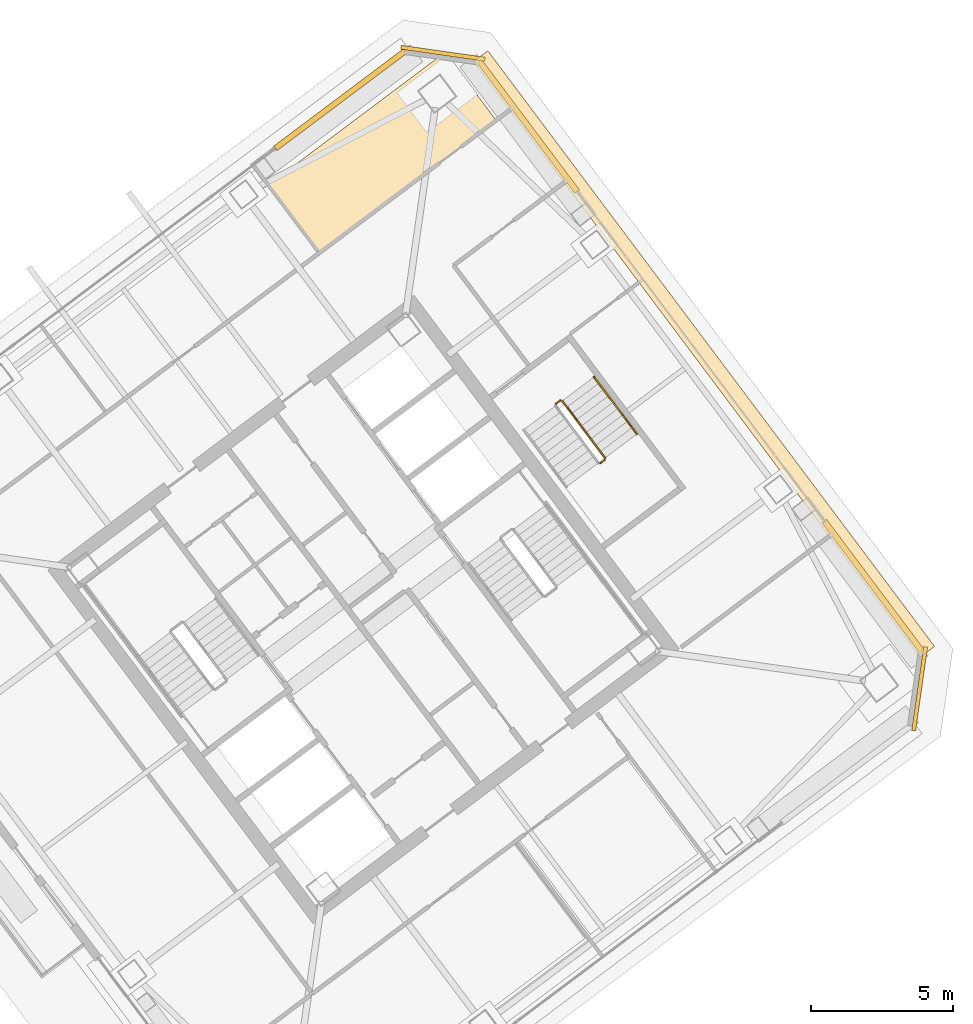
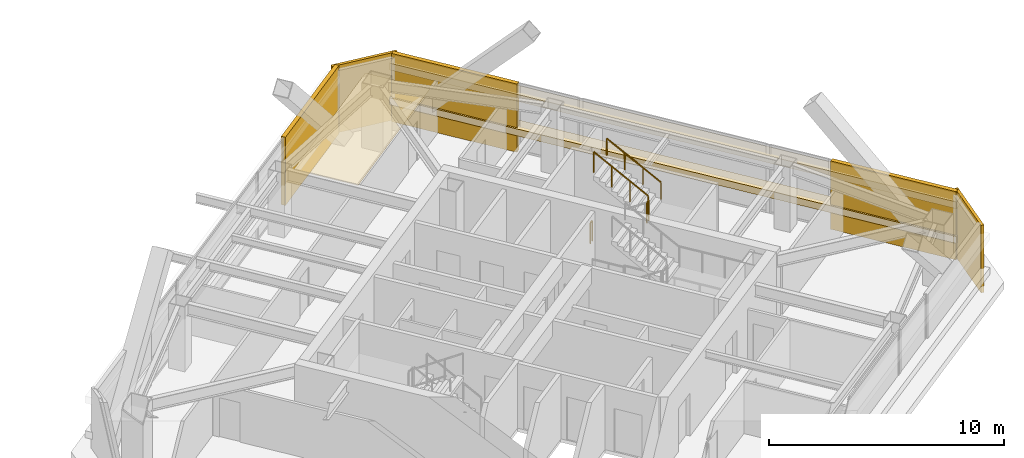
# One storey, part 39 of 39: 8 coverings, 4 railings.
"""IFC4 building model written with IfcOpenShell, lengths in metres."""

from ifc_helpers import new_model, si_unit, direction, frame, origin, origin_2d, place, context, subcontext, project, spatial, polyline, rectangle, outline, extrude, material, layer, layer_set, type_object, element, save


model = new_model("IFC4")

# Units and contexts
model_context = context("Model", 3, precision=1e-05, world=origin(), true_north=direction((0.0, 1.0)))
body_context = subcontext(model_context, "Body", "Model", "MODEL_VIEW")
ifc_project = project(units=[si_unit("LENGTHUNIT", "METRE"), si_unit("AREAUNIT", "SQUARE_METRE"), si_unit("VOLUMEUNIT", "CUBIC_METRE"), si_unit("PLANEANGLEUNIT", "RADIAN"), si_unit("MASSUNIT", "GRAM", prefix="KILO")], contexts=[model_context])

# Site, building, storey
site_placement = place(None, origin())
site = spatial("IfcSite", under=ifc_project, at=site_placement, CompositionType="ELEMENT")
building_placement = place(site_placement, origin())
building = spatial("IfcBuilding", under=site, at=building_placement, Name="Tashvorn Skyway Center", CompositionType="ELEMENT")
storey_placement = place(building_placement, frame((0.0, 0.0, 232.60009765625)))
storey = spatial("IfcBuildingStorey", under=building, at=storey_placement, Name="L63", CompositionType="ELEMENT", Elevation=232.60009765625)

# Coverings
ifc_material_1 = material(Name="Precast concrete C40/50", Category="concrete")
ifc_layer_1 = layer(ifc_material_1, 0.199951171875)
ifc_layer_set_1 = layer_set([ifc_layer_1], Name="Precast concrete C40/50")
covering_type_1 = type_object("IfcCoveringType", Name="COV-BRACE-CLAD", PredefinedType="CLADDING", material=ifc_layer_set_1)
for number, where, z_axis, x_axis, name in (
    (1, (113.210693359375, 50.008056640625, 0.0), (0.0, 0.0, 1.0), (0.799999996291, 0.600000004945, 0.0), "Tower 2 L63 North Unitised Curtain Wall Mega-Brace Cladding Band 2"),
    (2, (119.800048828125, 49.066650390625, 0.0), (0.0, 0.0, 1.0), (0.600000004945, -0.799999996291, 0.0), "Tower 2 L63 East Unitised Curtain Wall Mega-Brace Cladding Band 1"),
    (3, (132.008056640625, 32.789306640625, 0.0), (0.0, 0.0, 1.0), (0.600000004945, -0.799999996291, 0.0), "Tower 2 L63 East Unitised Curtain Wall Mega-Brace Cladding Band 2"),
):
    element("IfcCovering", number, at=place(storey_placement, frame(where, z_axis=z_axis, x_axis=x_axis)), inside=storey, type_object=covering_type_1, Name=name, PredefinedType="CLADDING", context=body_context, shape_type="SweptSolid", body=[
        extrude(rectangle(XDim=5.8134765625, YDim=0.199951171875, at=origin_2d()), origin(), (0.0, 0.0, 1.0), 3.550048828125),
    ])
ifc_material_2 = material(Name="Mineral-fibre acoustic ceiling tile on suspended grid")
ifc_layer_2 = layer(ifc_material_2, 0.02001953125)
ifc_layer_set_2 = layer_set([ifc_layer_2], Name="Mineral-fibre acoustic ceiling tile on suspended grid")
covering_type_2 = type_object("IfcCoveringType", Name="COV-CEIL-20", PredefinedType="CEILING", material=ifc_layer_set_2)
covering_placement = place(storey_placement, frame((0.0, 0.0, 2.702880859375)))
element("IfcCovering", 4, at=covering_placement, inside=storey, type_object=covering_type_2, Name="Tower 2 L63 Boardroom Acoustic Ceiling", PredefinedType="CEILING", context=body_context, shape_type="SweptSolid", body=[
    extrude(outline(polyline([(112.43994140625, 44.580078125), (118.679931640625, 49.260009765625), (116.8798828125, 51.659912109375), (110.639892578125, 46.97998046875), (112.43994140625, 44.580078125)])), origin(), (0.0, 0.0, 1.0), 0.02001953125),
])
ifc_material_3 = material(Name="Perforated ceramic-coated bronze aluminium solar screen", Category="aluminium")
ifc_layer_3 = layer(ifc_material_3, 0.85009765625)
ifc_layer_set_3 = layer_set([ifc_layer_3], Name="Perforated ceramic-coated bronze aluminium solar screen")
covering_type_3 = type_object("IfcCoveringType", Name="COV-SOLAR-BAND", PredefinedType="CLADDING", material=ifc_layer_set_3)
for number, where, z_axis, x_axis, name in (
    (5, (126.01611328125, 41.011962890625, 0.919921875), (0.0, 0.0, 1.0), (0.600000004945, -0.799999996291, 0.0), "L63 Perforated Ceramic-Metal Solar Screen Louvre Band East 1"),
    (6, (126.01611328125, 41.011962890625, 2.7197265625), (0.0, 0.0, 1.0), (0.600000004945, -0.799999996291, 0.0), "L63 Perforated Ceramic-Metal Solar Screen Louvre Band East 2"),
):
    element("IfcCovering", number, at=place(storey_placement, frame(where, z_axis=z_axis, x_axis=x_axis)), inside=storey, type_object=covering_type_3, Name=name, PredefinedType="CLADDING", context=body_context, shape_type="SweptSolid", body=[
        extrude(rectangle(XDim=26.280029296875, YDim=0.639892578125, at=origin_2d()), origin(), (0.0, 0.0, 1.0), 0.360107421875),
    ])
ifc_layer_4 = layer(ifc_material_1, 0.35009765625)
ifc_layer_set_4 = layer_set([ifc_layer_4], Name="Precast concrete C40/50")
covering_type_4 = type_object("IfcCoveringType", Name="COV-STONE-TRIM", PredefinedType="CLADDING", material=ifc_layer_set_4)
for number, where, z_axis, x_axis, name in (
    (7, (116.803955078125, 51.6279296875, 0.02001953125), (0.0, 0.0, 1.0), (0.989949494535, -0.141421350118, 0.0), "Tower 2 L63 NE Mojave Limestone Corner Quoin"),
    (8, (133.6279296875, 29.196044921875, 0.02001953125), (0.0, 0.0, 1.0), (0.141421350118, 0.989949494535, 0.0), "Tower 2 L63 SE Mojave Limestone Corner Quoin"),
):
    element("IfcCovering", number, at=place(storey_placement, frame(where, z_axis=z_axis, x_axis=x_axis)), inside=storey, type_object=covering_type_4, Name=name, PredefinedType="CLADDING", context=body_context, shape_type="SweptSolid", body=[
        extrude(rectangle(XDim=2.98828125, YDim=0.139892578125, at=origin_2d()), origin(), (0.0, 0.0, 1.0), 3.510009765625),
    ])

# Railings
ifc_material_4 = material(Name="Brushed stainless steel 316", Category="steel")
railing_type_1 = type_object("IfcRailingType", Name="RAIL-HAND-920", PredefinedType="HANDRAIL", material=ifc_material_4)
railing_1_placement = place(storey_placement, frame((123.64794921875, 38.18603515625, 1.952392578125)))
element("IfcRailing", 9, at=railing_1_placement, inside=storey, type_object=railing_type_1, Name="L63 ST-T2-3 stair handrail 2", PredefinedType="HANDRAIL", context=body_context, shape_type="SweptSolid", body=[
    extrude(rectangle(XDim=0.048095703125, YDim=0.048095703125, at=origin_2d()), frame((0.0, 0.0, 0.8759765625), z_axis=(-0.506768818287, 0.675664481285, 0.535409071218), x_axis=(-0.79998837352, -0.60001550166, 0.0)), (0.0, 0.0, 1.0), 2.983642578125),
    extrude(rectangle(XDim=0.0419921875, YDim=0.0419921875, at=origin_2d()), origin(), (0.0, 0.0, 1.0), 0.851806640625),
    extrude(rectangle(XDim=0.0419921875, YDim=0.0419921875, at=origin_2d()), frame((-0.50390625, 0.671875, 0.532470703125)), (0.0, 0.0, 1.0), 0.851806640625),
    extrude(rectangle(XDim=0.0419921875, YDim=0.0419921875, at=origin_2d()), frame((-1.008056640625, 1.343994140625, 1.06494140625)), (0.0, 0.0, 1.0), 0.851806640625),
    extrude(rectangle(XDim=0.0419921875, YDim=0.0419921875, at=origin_2d()), frame((-1.511962890625, 2.015869140625, 1.597412109375)), (0.0, 0.0, 1.0), 0.851806640625),
])
ifc_material_5 = material(Name="Painted galvanized steel S355", Category="steel")
railing_type_2 = type_object("IfcRailingType", Name="RAIL-STGUARD-1100", PredefinedType="GUARDRAIL", material=ifc_material_5)
railing_2_placement = place(storey_placement, frame((122.35791015625, 37.156005859375, 1.77490234375)))
element("IfcRailing", 10, at=railing_2_placement, inside=storey, type_object=railing_type_2, Name="L63 ST-T2-3 stair guard 2", PredefinedType="GUARDRAIL", context=body_context, shape_type="SweptSolid", body=[
    extrude(rectangle(XDim=0.048095703125, YDim=0.048095703125, at=origin_2d()), frame((0.0, 0.0, 1.076171875), z_axis=(0.800585412921, 0.599218655098, 0.0), x_axis=(-0.599218655098, 0.800585412921, 0.0)), (0.0, 0.0, 1.0), 0.199951171875),
    extrude(rectangle(XDim=0.0419921875, YDim=0.0419921875, at=origin_2d()), origin(), (0.0, 0.0, 1.0), 1.052001953125),
    extrude(rectangle(XDim=0.0419921875, YDim=0.0419921875, at=origin_2d()), frame((0.16015625, 0.119873046875, 0.0)), (0.0, 0.0, 1.0), 1.052001953125),
])
railing_3_placement = place(storey_placement, frame((122.528076171875, 37.345947265625, 1.952392578125)))
element("IfcRailing", 11, at=railing_3_placement, inside=storey, type_object=railing_type_2, Name="L63 ST-T2-3 stair guard 3", PredefinedType="GUARDRAIL", context=body_context, shape_type="SweptSolid", body=[
    extrude(rectangle(XDim=0.048095703125, YDim=0.048095703125, at=origin_2d()), frame((0.0, 0.0, 1.076171875), z_axis=(-0.506740800098, 0.675708949977, 0.535379469569), x_axis=(-0.800023250257, -0.599968998406, 0.0)), (0.0, 0.0, 1.0), 2.983642578125),
    extrude(rectangle(XDim=0.0419921875, YDim=0.0419921875, at=origin_2d()), origin(), (0.0, 0.0, 1.0), 1.052001953125),
    extrude(rectangle(XDim=0.0419921875, YDim=0.0419921875, at=origin_2d()), frame((-0.50390625, 0.672119140625, 0.532470703125)), (0.0, 0.0, 1.0), 1.052001953125),
    extrude(rectangle(XDim=0.0419921875, YDim=0.0419921875, at=origin_2d()), frame((-1.008056640625, 1.343994140625, 1.06494140625)), (0.0, 0.0, 1.0), 1.052001953125),
    extrude(rectangle(XDim=0.0419921875, YDim=0.0419921875, at=origin_2d()), frame((-1.511962890625, 2.01611328125, 1.597412109375)), (0.0, 0.0, 1.0), 1.052001953125),
])
railing_4_placement = place(storey_placement, frame((120.785888671875, 39.251953125, 0.0)))
element("IfcRailing", 12, at=railing_4_placement, inside=storey, type_object=railing_type_2, Name="L63 ST-T2-3 stair guard 4", PredefinedType="GUARDRAIL", context=body_context, shape_type="SweptSolid", body=[
    extrude(rectangle(XDim=0.048095703125, YDim=0.048095703125, at=origin_2d()), frame((0.0, 0.0, 1.076171875), z_axis=(0.8, 0.6, 0.0), x_axis=(-0.6, 0.8, 0.0)), (0.0, 0.0, 1.0), 0.2001953125),
    extrude(rectangle(XDim=0.0419921875, YDim=0.0419921875, at=origin_2d()), origin(), (0.0, 0.0, 1.0), 1.052001953125),
    extrude(rectangle(XDim=0.0419921875, YDim=0.0419921875, at=origin_2d()), frame((0.16015625, 0.1201171875, 0.0)), (0.0, 0.0, 1.0), 1.052001953125),
])

save(model, "model.ifc")
